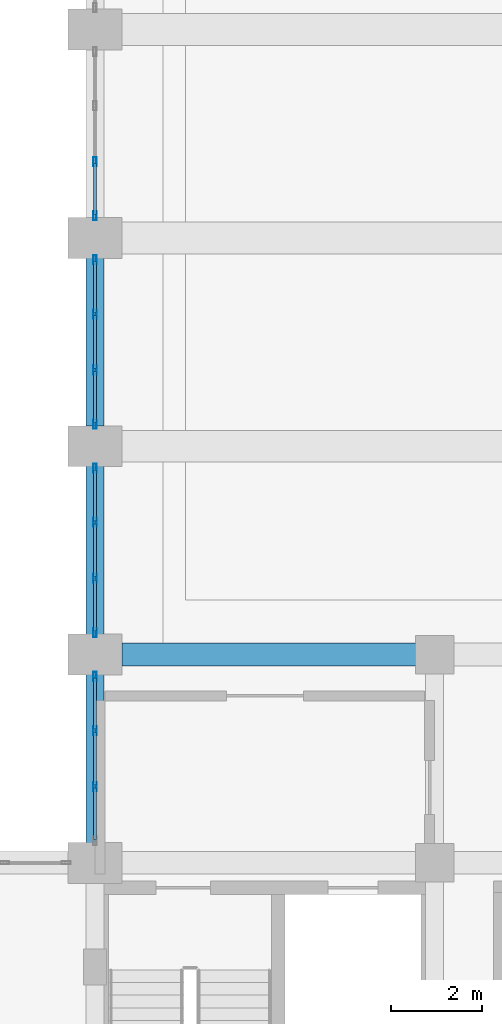
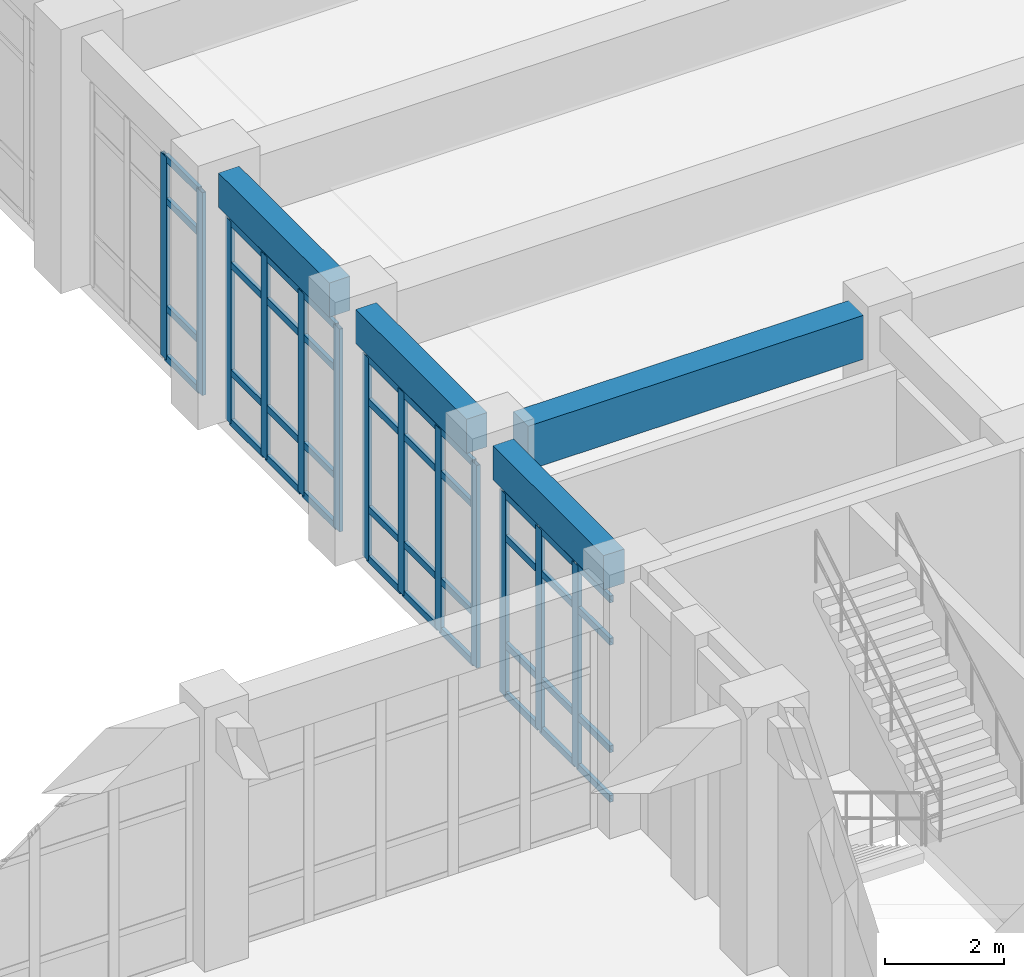
# One storey, part 21 of 84: 53 members, 4 beams, 4 elements without a shape of their own.
"""IFC4 building model written with IfcOpenShell, lengths in metres."""

from ifc_helpers import new_model, si_unit, direction, frame, origin, origin_2d, place, context, subcontext, project, spatial, rectangle, hollow_rectangle, extrude, material, layer, layer_set, material_profile, profile_set, type_object, element, aggregate, save


model = new_model("IFC4")

# Units and contexts
model_context = context("Model", 3, precision=1e-05, world=origin(), true_north=direction((0.0, 1.0)))
body_context = subcontext(model_context, "Body", "Model", "MODEL_VIEW")
ifc_project = project(units=[si_unit("LENGTHUNIT", "METRE"), si_unit("AREAUNIT", "SQUARE_METRE"), si_unit("VOLUMEUNIT", "CUBIC_METRE"), si_unit("PLANEANGLEUNIT", "RADIAN"), si_unit("MASSUNIT", "GRAM", prefix="KILO")], contexts=[model_context])

# Site, building, storey
site_placement = place(None, origin())
site = spatial("IfcSite", under=ifc_project, at=site_placement, CompositionType="ELEMENT")
building_placement = place(site_placement, origin())
building = spatial("IfcBuilding", under=site, at=building_placement, Name="Muzn Square Opera House", CompositionType="ELEMENT")
storey_placement = place(building_placement, origin())
storey = spatial("IfcBuildingStorey", under=building, at=storey_placement, Name="L00", CompositionType="ELEMENT", Elevation=0.0)

# Curtain wall, members
ifc_material_1 = material(Name="Low-E laminated acoustic double glazing", Category="glass")
ifc_layer = layer(ifc_material_1, 0.159912109375, Name="Low-E laminated acoustic double glazing", Category="glass")
ifc_layer_set = layer_set([ifc_layer], Name="Low-E laminated acoustic double glazing")
curtain_wall_type = type_object("IfcCurtainWallType", Name="Glazed Curtain Wall WestVaultCourt 3700x4150", PredefinedType="USERDEFINED", material=ifc_layer_set)
curtain_wall_1_placement = place(storey_placement, origin())
curtain_wall_1 = element("IfcCurtainWall", 1, at=curtain_wall_1_placement, inside=storey, type_object=curtain_wall_type, Name="Glazed Curtain Wall CW-L00-029", ObjectType="GLAZED CURTAIN WALL", PredefinedType="USERDEFINED")
ifc_material_2 = material(Name="Anodised bronze aluminium 6063-T6", Category="metal")
ifc_material_profile_1 = material_profile(ifc_material_2, hollow_rectangle(XDim=0.070068359375, YDim=0.199951171875, WallThickness=0.0048828125, at=origin_2d()), Name="ALU 200x70x5", Category="metal")
ifc_profile_set_1 = profile_set([ifc_material_profile_1], Name="Anodised bronze aluminium 6063-T6")
member_type_1 = type_object("IfcMemberType", Name="Curtain Wall Mullion 200x70", PredefinedType="MULLION", material=ifc_profile_set_1)
member_1_placement = place(storey_placement, frame((43.0, 32.88330078125, 0.0), z_axis=(0.0, 0.0, 1.0), x_axis=(-1.0, 0.0, 0.0)))
member_1 = element("IfcMember", 2, at=member_1_placement, type_object=member_type_1, Name="CW-WVC-37x41 mullion 2", PredefinedType="MULLION", context=body_context, shape_type="SweptSolid", body=[
    extrude(hollow_rectangle(XDim=0.070068359375, YDim=0.199951171875, WallThickness=0.0048828125, at=origin_2d()), origin(), (0.0, 0.0, 1.0), 4.14990234375),
])
member_2_placement = place(storey_placement, frame((43.0, 34.11669921875, 0.0), z_axis=(0.0, 0.0, 1.0), x_axis=(-1.0, 0.0, 0.0)))
member_2 = element("IfcMember", 3, at=member_2_placement, type_object=member_type_1, Name="CW-WVC-37x41 mullion 3", PredefinedType="MULLION", context=body_context, shape_type="SweptSolid", body=[
    extrude(hollow_rectangle(XDim=0.070068359375, YDim=0.199951171875, WallThickness=0.0048828125, at=origin_2d()), origin(), (0.0, 0.0, 1.0), 4.14990234375),
])
member_3_placement = place(storey_placement, frame((43.0, 35.31494140625, 0.0), z_axis=(0.0, 0.0, 1.0), x_axis=(-1.0, 0.0, 0.0)))
member_3 = element("IfcMember", 4, at=member_3_placement, type_object=member_type_1, Name="CW-WVC-37x41 mullion 4", PredefinedType="MULLION", context=body_context, shape_type="SweptSolid", body=[
    extrude(hollow_rectangle(XDim=0.070068359375, YDim=0.199951171875, WallThickness=0.0048828125, at=origin_2d()), origin(), (0.0, 0.0, 1.0), 4.14990234375),
])

curtain_wall_2_placement = place(storey_placement, origin())
curtain_wall_2 = element("IfcCurtainWall", 5, at=curtain_wall_2_placement, inside=storey, type_object=curtain_wall_type, Name="Glazed Curtain Wall CW-L00-031", ObjectType="GLAZED CURTAIN WALL", PredefinedType="USERDEFINED")
member_4_placement = place(storey_placement, frame((43.0, 36.284912109375, 0.0), z_axis=(0.0, 0.0, 1.0), x_axis=(-1.0, 0.0, 0.0)))
member_4 = element("IfcMember", 6, at=member_4_placement, type_object=member_type_1, Name="CW-WVC-37x41 mullion 1", PredefinedType="MULLION", context=body_context, shape_type="SweptSolid", body=[
    extrude(hollow_rectangle(XDim=0.070068359375, YDim=0.199951171875, WallThickness=0.0048828125, at=origin_2d()), origin(), (0.0, 0.0, 1.0), 4.14990234375),
])
member_5_placement = place(storey_placement, frame((43.0, 37.4833984375, 0.0), z_axis=(0.0, 0.0, 1.0), x_axis=(-1.0, 0.0, 0.0)))
member_5 = element("IfcMember", 7, at=member_5_placement, type_object=member_type_1, Name="CW-WVC-37x41 mullion 2", PredefinedType="MULLION", context=body_context, shape_type="SweptSolid", body=[
    extrude(hollow_rectangle(XDim=0.070068359375, YDim=0.199951171875, WallThickness=0.0048828125, at=origin_2d()), origin(), (0.0, 0.0, 1.0), 4.14990234375),
])
member_6_placement = place(storey_placement, frame((43.0, 38.716552734375, 0.0), z_axis=(0.0, 0.0, 1.0), x_axis=(-1.0, 0.0, 0.0)))
member_6 = element("IfcMember", 8, at=member_6_placement, type_object=member_type_1, Name="CW-WVC-37x41 mullion 3", PredefinedType="MULLION", context=body_context, shape_type="SweptSolid", body=[
    extrude(hollow_rectangle(XDim=0.070068359375, YDim=0.199951171875, WallThickness=0.0048828125, at=origin_2d()), origin(), (0.0, 0.0, 1.0), 4.14990234375),
])
member_7_placement = place(storey_placement, frame((43.0, 39.9150390625, 0.0), z_axis=(0.0, 0.0, 1.0), x_axis=(-1.0, 0.0, 0.0)))
member_7 = element("IfcMember", 9, at=member_7_placement, type_object=member_type_1, Name="CW-WVC-37x41 mullion 4", PredefinedType="MULLION", context=body_context, shape_type="SweptSolid", body=[
    extrude(hollow_rectangle(XDim=0.070068359375, YDim=0.199951171875, WallThickness=0.0048828125, at=origin_2d()), origin(), (0.0, 0.0, 1.0), 4.14990234375),
])

curtain_wall_3_placement = place(storey_placement, origin())
curtain_wall_3 = element("IfcCurtainWall", 10, at=curtain_wall_3_placement, inside=storey, type_object=curtain_wall_type, Name="Glazed Curtain Wall CW-L00-033", ObjectType="GLAZED CURTAIN WALL", PredefinedType="USERDEFINED")
member_8_placement = place(storey_placement, frame((43.0, 40.885009765625, 0.0), z_axis=(0.0, 0.0, 1.0), x_axis=(-1.0, 0.0, 0.0)))
member_8 = element("IfcMember", 11, at=member_8_placement, type_object=member_type_1, Name="CW-WVC-37x41 mullion 1", PredefinedType="MULLION", context=body_context, shape_type="SweptSolid", body=[
    extrude(hollow_rectangle(XDim=0.070068359375, YDim=0.199951171875, WallThickness=0.0048828125, at=origin_2d()), origin(), (0.0, 0.0, 1.0), 4.14990234375),
])
member_9_placement = place(storey_placement, frame((43.0, 42.083251953125, 0.0), z_axis=(0.0, 0.0, 1.0), x_axis=(-1.0, 0.0, 0.0)))
member_9 = element("IfcMember", 12, at=member_9_placement, type_object=member_type_1, Name="CW-WVC-37x41 mullion 2", PredefinedType="MULLION", context=body_context, shape_type="SweptSolid", body=[
    extrude(hollow_rectangle(XDim=0.070068359375, YDim=0.199951171875, WallThickness=0.0048828125, at=origin_2d()), origin(), (0.0, 0.0, 1.0), 4.14990234375),
])
member_10_placement = place(storey_placement, frame((43.0, 43.316650390625, 0.0), z_axis=(0.0, 0.0, 1.0), x_axis=(-1.0, 0.0, 0.0)))
member_10 = element("IfcMember", 13, at=member_10_placement, type_object=member_type_1, Name="CW-WVC-37x41 mullion 3", PredefinedType="MULLION", context=body_context, shape_type="SweptSolid", body=[
    extrude(hollow_rectangle(XDim=0.070068359375, YDim=0.199951171875, WallThickness=0.0048828125, at=origin_2d()), origin(), (0.0, 0.0, 1.0), 4.14990234375),
])
member_11_placement = place(storey_placement, frame((43.0, 44.514892578125, 0.0), z_axis=(0.0, 0.0, 1.0), x_axis=(-1.0, 0.0, 0.0)))
member_11 = element("IfcMember", 14, at=member_11_placement, type_object=member_type_1, Name="CW-WVC-37x41 mullion 4", PredefinedType="MULLION", context=body_context, shape_type="SweptSolid", body=[
    extrude(hollow_rectangle(XDim=0.070068359375, YDim=0.199951171875, WallThickness=0.0048828125, at=origin_2d()), origin(), (0.0, 0.0, 1.0), 4.14990234375),
])

curtain_wall_4_placement = place(storey_placement, origin())
curtain_wall_4 = element("IfcCurtainWall", 15, at=curtain_wall_4_placement, inside=storey, type_object=curtain_wall_type, Name="Glazed Curtain Wall CW-L00-035", ObjectType="GLAZED CURTAIN WALL", PredefinedType="USERDEFINED")
member_12_placement = place(storey_placement, frame((43.0, 45.485107421875, 0.0), z_axis=(0.0, 0.0, 1.0), x_axis=(-1.0, 0.0, 0.0)))
member_12 = element("IfcMember", 16, at=member_12_placement, type_object=member_type_1, Name="CW-WVC-37x41 mullion 1", PredefinedType="MULLION", context=body_context, shape_type="SweptSolid", body=[
    extrude(hollow_rectangle(XDim=0.070068359375, YDim=0.199951171875, WallThickness=0.0048828125, at=origin_2d()), origin(), (0.0, 0.0, 1.0), 4.14990234375),
])
member_13_placement = place(storey_placement, frame((43.0, 46.683349609375, 0.0), z_axis=(0.0, 0.0, 1.0), x_axis=(-1.0, 0.0, 0.0)))
member_13 = element("IfcMember", 17, at=member_13_placement, type_object=member_type_1, Name="CW-WVC-37x41 mullion 2", PredefinedType="MULLION", context=body_context, shape_type="SweptSolid", body=[
    extrude(hollow_rectangle(XDim=0.070068359375, YDim=0.199951171875, WallThickness=0.0048828125, at=origin_2d()), origin(), (0.0, 0.0, 1.0), 4.14990234375),
])

# Member
ifc_material_profile_2 = material_profile(ifc_material_2, hollow_rectangle(XDim=0.070068359375, YDim=0.139892578125, WallThickness=0.00390625, at=origin_2d()), Name="ALU 140x70x4", Category="metal")
ifc_profile_set_2 = profile_set([ifc_material_profile_2], Name="Anodised bronze aluminium 6063-T6")
member_type_2 = type_object("IfcMemberType", Name="Curtain Wall Transom 140x70", PredefinedType="USERDEFINED", material=ifc_profile_set_2)
member_14_placement = place(storey_placement, frame((43.0, 31.719970703125, 0.034912109375), z_axis=(0.0, 1.0, 0.0), x_axis=(-1.0, 0.0, 0.0)))
member_14 = element("IfcMember", 18, at=member_14_placement, type_object=member_type_2, Name="CW-WVC-37x41 transom 1.1", ObjectType="TRANSOM", PredefinedType="USERDEFINED", context=body_context, shape_type="SweptSolid", body=[
    extrude(hollow_rectangle(XDim=0.070068359375, YDim=0.139892578125, WallThickness=0.00390625, at=origin_2d()), origin(), (0.0, 0.0, 1.0), 1.12841796875),
])

member_15_placement = place(storey_placement, frame((43.0, 31.719970703125, 1.050048828125), z_axis=(0.0, 1.0, 0.0), x_axis=(-1.0, 0.0, 0.0)))
member_15 = element("IfcMember", 19, at=member_15_placement, type_object=member_type_2, Name="CW-WVC-37x41 transom 1.2", ObjectType="TRANSOM", PredefinedType="USERDEFINED", context=body_context, shape_type="SweptSolid", body=[
    extrude(hollow_rectangle(XDim=0.070068359375, YDim=0.139892578125, WallThickness=0.00390625, at=origin_2d()), origin(), (0.0, 0.0, 1.0), 1.12841796875),
])

member_16_placement = place(storey_placement, frame((43.0, 31.719970703125, 3.25), z_axis=(0.0, 1.0, 0.0), x_axis=(-1.0, 0.0, 0.0)))
member_16 = element("IfcMember", 20, at=member_16_placement, type_object=member_type_2, Name="CW-WVC-37x41 transom 1.3", ObjectType="TRANSOM", PredefinedType="USERDEFINED", context=body_context, shape_type="SweptSolid", body=[
    extrude(hollow_rectangle(XDim=0.070068359375, YDim=0.139892578125, WallThickness=0.00390625, at=origin_2d()), origin(), (0.0, 0.0, 1.0), 1.12841796875),
])

member_17_placement = place(storey_placement, frame((43.0, 31.719970703125, 4.114990234375), z_axis=(0.0, 1.0, 0.0), x_axis=(-1.0, 0.0, 0.0)))
member_17 = element("IfcMember", 21, at=member_17_placement, type_object=member_type_2, Name="CW-WVC-37x41 transom 1.4", ObjectType="TRANSOM", PredefinedType="USERDEFINED", context=body_context, shape_type="SweptSolid", body=[
    extrude(hollow_rectangle(XDim=0.070068359375, YDim=0.139892578125, WallThickness=0.00390625, at=origin_2d()), origin(), (0.0, 0.0, 1.0), 1.12841796875),
])

member_18_placement = place(storey_placement, frame((43.0, 32.918212890625, 0.034912109375), z_axis=(0.0, 1.0, 0.0), x_axis=(-1.0, 0.0, 0.0)))
member_18 = element("IfcMember", 22, at=member_18_placement, type_object=member_type_2, Name="CW-WVC-37x41 transom 2.1", ObjectType="TRANSOM", PredefinedType="USERDEFINED", context=body_context, shape_type="SweptSolid", body=[
    extrude(hollow_rectangle(XDim=0.070068359375, YDim=0.139892578125, WallThickness=0.00390625, at=origin_2d()), origin(), (0.0, 0.0, 1.0), 1.16357421875),
])

member_19_placement = place(storey_placement, frame((43.0, 32.918212890625, 1.050048828125), z_axis=(0.0, 1.0, 0.0), x_axis=(-1.0, 0.0, 0.0)))
member_19 = element("IfcMember", 23, at=member_19_placement, type_object=member_type_2, Name="CW-WVC-37x41 transom 2.2", ObjectType="TRANSOM", PredefinedType="USERDEFINED", context=body_context, shape_type="SweptSolid", body=[
    extrude(hollow_rectangle(XDim=0.070068359375, YDim=0.139892578125, WallThickness=0.00390625, at=origin_2d()), origin(), (0.0, 0.0, 1.0), 1.16357421875),
])

member_20_placement = place(storey_placement, frame((43.0, 32.918212890625, 3.25), z_axis=(0.0, 1.0, 0.0), x_axis=(-1.0, 0.0, 0.0)))
member_20 = element("IfcMember", 24, at=member_20_placement, type_object=member_type_2, Name="CW-WVC-37x41 transom 2.3", ObjectType="TRANSOM", PredefinedType="USERDEFINED", context=body_context, shape_type="SweptSolid", body=[
    extrude(hollow_rectangle(XDim=0.070068359375, YDim=0.139892578125, WallThickness=0.00390625, at=origin_2d()), origin(), (0.0, 0.0, 1.0), 1.16357421875),
])

member_21_placement = place(storey_placement, frame((43.0, 32.918212890625, 4.114990234375), z_axis=(0.0, 1.0, 0.0), x_axis=(-1.0, 0.0, 0.0)))
member_21 = element("IfcMember", 25, at=member_21_placement, type_object=member_type_2, Name="CW-WVC-37x41 transom 2.4", ObjectType="TRANSOM", PredefinedType="USERDEFINED", context=body_context, shape_type="SweptSolid", body=[
    extrude(hollow_rectangle(XDim=0.070068359375, YDim=0.139892578125, WallThickness=0.00390625, at=origin_2d()), origin(), (0.0, 0.0, 1.0), 1.16357421875),
])

member_22_placement = place(storey_placement, frame((43.0, 34.151611328125, 0.034912109375), z_axis=(0.0, 1.0, 0.0), x_axis=(-1.0, 0.0, 0.0)))
member_22 = element("IfcMember", 26, at=member_22_placement, type_object=member_type_2, Name="CW-WVC-37x41 transom 3.1", ObjectType="TRANSOM", PredefinedType="USERDEFINED", context=body_context, shape_type="SweptSolid", body=[
    extrude(hollow_rectangle(XDim=0.070068359375, YDim=0.139892578125, WallThickness=0.00390625, at=origin_2d()), origin(), (0.0, 0.0, 1.0), 1.12841796875),
])

member_23_placement = place(storey_placement, frame((43.0, 34.151611328125, 1.050048828125), z_axis=(0.0, 1.0, 0.0), x_axis=(-1.0, 0.0, 0.0)))
member_23 = element("IfcMember", 27, at=member_23_placement, type_object=member_type_2, Name="CW-WVC-37x41 transom 3.2", ObjectType="TRANSOM", PredefinedType="USERDEFINED", context=body_context, shape_type="SweptSolid", body=[
    extrude(hollow_rectangle(XDim=0.070068359375, YDim=0.139892578125, WallThickness=0.00390625, at=origin_2d()), origin(), (0.0, 0.0, 1.0), 1.12841796875),
])

member_24_placement = place(storey_placement, frame((43.0, 34.151611328125, 3.25), z_axis=(0.0, 1.0, 0.0), x_axis=(-1.0, 0.0, 0.0)))
member_24 = element("IfcMember", 28, at=member_24_placement, type_object=member_type_2, Name="CW-WVC-37x41 transom 3.3", ObjectType="TRANSOM", PredefinedType="USERDEFINED", context=body_context, shape_type="SweptSolid", body=[
    extrude(hollow_rectangle(XDim=0.070068359375, YDim=0.139892578125, WallThickness=0.00390625, at=origin_2d()), origin(), (0.0, 0.0, 1.0), 1.12841796875),
])

member_25_placement = place(storey_placement, frame((43.0, 34.151611328125, 4.114990234375), z_axis=(0.0, 1.0, 0.0), x_axis=(-1.0, 0.0, 0.0)))
member_25 = element("IfcMember", 29, at=member_25_placement, type_object=member_type_2, Name="CW-WVC-37x41 transom 3.4", ObjectType="TRANSOM", PredefinedType="USERDEFINED", context=body_context, shape_type="SweptSolid", body=[
    extrude(hollow_rectangle(XDim=0.070068359375, YDim=0.139892578125, WallThickness=0.00390625, at=origin_2d()), origin(), (0.0, 0.0, 1.0), 1.12841796875),
])

aggregate(curtain_wall_1, [member_1, member_2, member_3, member_14, member_15, member_16, member_17, member_18, member_19, member_20, member_21, member_22, member_23, member_24, member_25])

member_26_placement = place(storey_placement, frame((43.0, 36.320068359375, 0.034912109375), z_axis=(0.0, 1.0, 0.0), x_axis=(-1.0, 0.0, 0.0)))
member_26 = element("IfcMember", 30, at=member_26_placement, type_object=member_type_2, Name="CW-WVC-37x41 transom 1.1", ObjectType="TRANSOM", PredefinedType="USERDEFINED", context=body_context, shape_type="SweptSolid", body=[
    extrude(hollow_rectangle(XDim=0.070068359375, YDim=0.139892578125, WallThickness=0.00390625, at=origin_2d()), origin(), (0.0, 0.0, 1.0), 1.128173828125),
])

member_27_placement = place(storey_placement, frame((43.0, 36.320068359375, 1.050048828125), z_axis=(0.0, 1.0, 0.0), x_axis=(-1.0, 0.0, 0.0)))
member_27 = element("IfcMember", 31, at=member_27_placement, type_object=member_type_2, Name="CW-WVC-37x41 transom 1.2", ObjectType="TRANSOM", PredefinedType="USERDEFINED", context=body_context, shape_type="SweptSolid", body=[
    extrude(hollow_rectangle(XDim=0.070068359375, YDim=0.139892578125, WallThickness=0.00390625, at=origin_2d()), origin(), (0.0, 0.0, 1.0), 1.128173828125),
])

member_28_placement = place(storey_placement, frame((43.0, 36.320068359375, 3.25), z_axis=(0.0, 1.0, 0.0), x_axis=(-1.0, 0.0, 0.0)))
member_28 = element("IfcMember", 32, at=member_28_placement, type_object=member_type_2, Name="CW-WVC-37x41 transom 1.3", ObjectType="TRANSOM", PredefinedType="USERDEFINED", context=body_context, shape_type="SweptSolid", body=[
    extrude(hollow_rectangle(XDim=0.070068359375, YDim=0.139892578125, WallThickness=0.00390625, at=origin_2d()), origin(), (0.0, 0.0, 1.0), 1.128173828125),
])

member_29_placement = place(storey_placement, frame((43.0, 36.320068359375, 4.114990234375), z_axis=(0.0, 1.0, 0.0), x_axis=(-1.0, 0.0, 0.0)))
member_29 = element("IfcMember", 33, at=member_29_placement, type_object=member_type_2, Name="CW-WVC-37x41 transom 1.4", ObjectType="TRANSOM", PredefinedType="USERDEFINED", context=body_context, shape_type="SweptSolid", body=[
    extrude(hollow_rectangle(XDim=0.070068359375, YDim=0.139892578125, WallThickness=0.00390625, at=origin_2d()), origin(), (0.0, 0.0, 1.0), 1.128173828125),
])

member_30_placement = place(storey_placement, frame((43.0, 37.518310546875, 0.034912109375), z_axis=(0.0, 1.0, 0.0), x_axis=(-1.0, 0.0, 0.0)))
member_30 = element("IfcMember", 34, at=member_30_placement, type_object=member_type_2, Name="CW-WVC-37x41 transom 2.1", ObjectType="TRANSOM", PredefinedType="USERDEFINED", context=body_context, shape_type="SweptSolid", body=[
    extrude(hollow_rectangle(XDim=0.070068359375, YDim=0.139892578125, WallThickness=0.00390625, at=origin_2d()), origin(), (0.0, 0.0, 1.0), 1.163330078125),
])

member_31_placement = place(storey_placement, frame((43.0, 37.518310546875, 1.050048828125), z_axis=(0.0, 1.0, 0.0), x_axis=(-1.0, 0.0, 0.0)))
member_31 = element("IfcMember", 35, at=member_31_placement, type_object=member_type_2, Name="CW-WVC-37x41 transom 2.2", ObjectType="TRANSOM", PredefinedType="USERDEFINED", context=body_context, shape_type="SweptSolid", body=[
    extrude(hollow_rectangle(XDim=0.070068359375, YDim=0.139892578125, WallThickness=0.00390625, at=origin_2d()), origin(), (0.0, 0.0, 1.0), 1.163330078125),
])

member_32_placement = place(storey_placement, frame((43.0, 37.518310546875, 3.25), z_axis=(0.0, 1.0, 0.0), x_axis=(-1.0, 0.0, 0.0)))
member_32 = element("IfcMember", 36, at=member_32_placement, type_object=member_type_2, Name="CW-WVC-37x41 transom 2.3", ObjectType="TRANSOM", PredefinedType="USERDEFINED", context=body_context, shape_type="SweptSolid", body=[
    extrude(hollow_rectangle(XDim=0.070068359375, YDim=0.139892578125, WallThickness=0.00390625, at=origin_2d()), origin(), (0.0, 0.0, 1.0), 1.163330078125),
])

member_33_placement = place(storey_placement, frame((43.0, 37.518310546875, 4.114990234375), z_axis=(0.0, 1.0, 0.0), x_axis=(-1.0, 0.0, 0.0)))
member_33 = element("IfcMember", 37, at=member_33_placement, type_object=member_type_2, Name="CW-WVC-37x41 transom 2.4", ObjectType="TRANSOM", PredefinedType="USERDEFINED", context=body_context, shape_type="SweptSolid", body=[
    extrude(hollow_rectangle(XDim=0.070068359375, YDim=0.139892578125, WallThickness=0.00390625, at=origin_2d()), origin(), (0.0, 0.0, 1.0), 1.163330078125),
])

member_34_placement = place(storey_placement, frame((43.0, 38.751708984375, 0.034912109375), z_axis=(0.0, 1.0, 0.0), x_axis=(-1.0, 0.0, 0.0)))
member_34 = element("IfcMember", 38, at=member_34_placement, type_object=member_type_2, Name="CW-WVC-37x41 transom 3.1", ObjectType="TRANSOM", PredefinedType="USERDEFINED", context=body_context, shape_type="SweptSolid", body=[
    extrude(hollow_rectangle(XDim=0.070068359375, YDim=0.139892578125, WallThickness=0.00390625, at=origin_2d()), origin(), (0.0, 0.0, 1.0), 1.128173828125),
])

member_35_placement = place(storey_placement, frame((43.0, 38.751708984375, 1.050048828125), z_axis=(0.0, 1.0, 0.0), x_axis=(-1.0, 0.0, 0.0)))
member_35 = element("IfcMember", 39, at=member_35_placement, type_object=member_type_2, Name="CW-WVC-37x41 transom 3.2", ObjectType="TRANSOM", PredefinedType="USERDEFINED", context=body_context, shape_type="SweptSolid", body=[
    extrude(hollow_rectangle(XDim=0.070068359375, YDim=0.139892578125, WallThickness=0.00390625, at=origin_2d()), origin(), (0.0, 0.0, 1.0), 1.128173828125),
])

member_36_placement = place(storey_placement, frame((43.0, 38.751708984375, 3.25), z_axis=(0.0, 1.0, 0.0), x_axis=(-1.0, 0.0, 0.0)))
member_36 = element("IfcMember", 40, at=member_36_placement, type_object=member_type_2, Name="CW-WVC-37x41 transom 3.3", ObjectType="TRANSOM", PredefinedType="USERDEFINED", context=body_context, shape_type="SweptSolid", body=[
    extrude(hollow_rectangle(XDim=0.070068359375, YDim=0.139892578125, WallThickness=0.00390625, at=origin_2d()), origin(), (0.0, 0.0, 1.0), 1.128173828125),
])

member_37_placement = place(storey_placement, frame((43.0, 38.751708984375, 4.114990234375), z_axis=(0.0, 1.0, 0.0), x_axis=(-1.0, 0.0, 0.0)))
member_37 = element("IfcMember", 41, at=member_37_placement, type_object=member_type_2, Name="CW-WVC-37x41 transom 3.4", ObjectType="TRANSOM", PredefinedType="USERDEFINED", context=body_context, shape_type="SweptSolid", body=[
    extrude(hollow_rectangle(XDim=0.070068359375, YDim=0.139892578125, WallThickness=0.00390625, at=origin_2d()), origin(), (0.0, 0.0, 1.0), 1.128173828125),
])

aggregate(curtain_wall_2, [member_4, member_5, member_6, member_7, member_26, member_27, member_28, member_29, member_30, member_31, member_32, member_33, member_34, member_35, member_36, member_37])

member_38_placement = place(storey_placement, frame((43.0, 40.919921875, 0.034912109375), z_axis=(0.0, 1.0, 0.0), x_axis=(-1.0, 0.0, 0.0)))
member_38 = element("IfcMember", 42, at=member_38_placement, type_object=member_type_2, Name="CW-WVC-37x41 transom 1.1", ObjectType="TRANSOM", PredefinedType="USERDEFINED", context=body_context, shape_type="SweptSolid", body=[
    extrude(hollow_rectangle(XDim=0.070068359375, YDim=0.139892578125, WallThickness=0.00390625, at=origin_2d()), origin(), (0.0, 0.0, 1.0), 1.12841796875),
])

member_39_placement = place(storey_placement, frame((43.0, 40.919921875, 1.050048828125), z_axis=(0.0, 1.0, 0.0), x_axis=(-1.0, 0.0, 0.0)))
member_39 = element("IfcMember", 43, at=member_39_placement, type_object=member_type_2, Name="CW-WVC-37x41 transom 1.2", ObjectType="TRANSOM", PredefinedType="USERDEFINED", context=body_context, shape_type="SweptSolid", body=[
    extrude(hollow_rectangle(XDim=0.070068359375, YDim=0.139892578125, WallThickness=0.00390625, at=origin_2d()), origin(), (0.0, 0.0, 1.0), 1.12841796875),
])

member_40_placement = place(storey_placement, frame((43.0, 40.919921875, 3.25), z_axis=(0.0, 1.0, 0.0), x_axis=(-1.0, 0.0, 0.0)))
member_40 = element("IfcMember", 44, at=member_40_placement, type_object=member_type_2, Name="CW-WVC-37x41 transom 1.3", ObjectType="TRANSOM", PredefinedType="USERDEFINED", context=body_context, shape_type="SweptSolid", body=[
    extrude(hollow_rectangle(XDim=0.070068359375, YDim=0.139892578125, WallThickness=0.00390625, at=origin_2d()), origin(), (0.0, 0.0, 1.0), 1.12841796875),
])

member_41_placement = place(storey_placement, frame((43.0, 40.919921875, 4.114990234375), z_axis=(0.0, 1.0, 0.0), x_axis=(-1.0, 0.0, 0.0)))
member_41 = element("IfcMember", 45, at=member_41_placement, type_object=member_type_2, Name="CW-WVC-37x41 transom 1.4", ObjectType="TRANSOM", PredefinedType="USERDEFINED", context=body_context, shape_type="SweptSolid", body=[
    extrude(hollow_rectangle(XDim=0.070068359375, YDim=0.139892578125, WallThickness=0.00390625, at=origin_2d()), origin(), (0.0, 0.0, 1.0), 1.12841796875),
])

member_42_placement = place(storey_placement, frame((43.0, 42.118408203125, 0.034912109375), z_axis=(0.0, 1.0, 0.0), x_axis=(-1.0, 0.0, 0.0)))
member_42 = element("IfcMember", 46, at=member_42_placement, type_object=member_type_2, Name="CW-WVC-37x41 transom 2.1", ObjectType="TRANSOM", PredefinedType="USERDEFINED", context=body_context, shape_type="SweptSolid", body=[
    extrude(hollow_rectangle(XDim=0.070068359375, YDim=0.139892578125, WallThickness=0.00390625, at=origin_2d()), origin(), (0.0, 0.0, 1.0), 1.163330078125),
])

member_43_placement = place(storey_placement, frame((43.0, 42.118408203125, 1.050048828125), z_axis=(0.0, 1.0, 0.0), x_axis=(-1.0, 0.0, 0.0)))
member_43 = element("IfcMember", 47, at=member_43_placement, type_object=member_type_2, Name="CW-WVC-37x41 transom 2.2", ObjectType="TRANSOM", PredefinedType="USERDEFINED", context=body_context, shape_type="SweptSolid", body=[
    extrude(hollow_rectangle(XDim=0.070068359375, YDim=0.139892578125, WallThickness=0.00390625, at=origin_2d()), origin(), (0.0, 0.0, 1.0), 1.163330078125),
])

member_44_placement = place(storey_placement, frame((43.0, 42.118408203125, 3.25), z_axis=(0.0, 1.0, 0.0), x_axis=(-1.0, 0.0, 0.0)))
member_44 = element("IfcMember", 48, at=member_44_placement, type_object=member_type_2, Name="CW-WVC-37x41 transom 2.3", ObjectType="TRANSOM", PredefinedType="USERDEFINED", context=body_context, shape_type="SweptSolid", body=[
    extrude(hollow_rectangle(XDim=0.070068359375, YDim=0.139892578125, WallThickness=0.00390625, at=origin_2d()), origin(), (0.0, 0.0, 1.0), 1.163330078125),
])

member_45_placement = place(storey_placement, frame((43.0, 42.118408203125, 4.114990234375), z_axis=(0.0, 1.0, 0.0), x_axis=(-1.0, 0.0, 0.0)))
member_45 = element("IfcMember", 49, at=member_45_placement, type_object=member_type_2, Name="CW-WVC-37x41 transom 2.4", ObjectType="TRANSOM", PredefinedType="USERDEFINED", context=body_context, shape_type="SweptSolid", body=[
    extrude(hollow_rectangle(XDim=0.070068359375, YDim=0.139892578125, WallThickness=0.00390625, at=origin_2d()), origin(), (0.0, 0.0, 1.0), 1.163330078125),
])

member_46_placement = place(storey_placement, frame((43.0, 43.3515625, 0.034912109375), z_axis=(0.0, 1.0, 0.0), x_axis=(-1.0, 0.0, 0.0)))
member_46 = element("IfcMember", 50, at=member_46_placement, type_object=member_type_2, Name="CW-WVC-37x41 transom 3.1", ObjectType="TRANSOM", PredefinedType="USERDEFINED", context=body_context, shape_type="SweptSolid", body=[
    extrude(hollow_rectangle(XDim=0.070068359375, YDim=0.139892578125, WallThickness=0.00390625, at=origin_2d()), origin(), (0.0, 0.0, 1.0), 1.12841796875),
])

member_47_placement = place(storey_placement, frame((43.0, 43.3515625, 1.050048828125), z_axis=(0.0, 1.0, 0.0), x_axis=(-1.0, 0.0, 0.0)))
member_47 = element("IfcMember", 51, at=member_47_placement, type_object=member_type_2, Name="CW-WVC-37x41 transom 3.2", ObjectType="TRANSOM", PredefinedType="USERDEFINED", context=body_context, shape_type="SweptSolid", body=[
    extrude(hollow_rectangle(XDim=0.070068359375, YDim=0.139892578125, WallThickness=0.00390625, at=origin_2d()), origin(), (0.0, 0.0, 1.0), 1.12841796875),
])

member_48_placement = place(storey_placement, frame((43.0, 43.3515625, 3.25), z_axis=(0.0, 1.0, 0.0), x_axis=(-1.0, 0.0, 0.0)))
member_48 = element("IfcMember", 52, at=member_48_placement, type_object=member_type_2, Name="CW-WVC-37x41 transom 3.3", ObjectType="TRANSOM", PredefinedType="USERDEFINED", context=body_context, shape_type="SweptSolid", body=[
    extrude(hollow_rectangle(XDim=0.070068359375, YDim=0.139892578125, WallThickness=0.00390625, at=origin_2d()), origin(), (0.0, 0.0, 1.0), 1.12841796875),
])

member_49_placement = place(storey_placement, frame((43.0, 43.3515625, 4.114990234375), z_axis=(0.0, 1.0, 0.0), x_axis=(-1.0, 0.0, 0.0)))
member_49 = element("IfcMember", 53, at=member_49_placement, type_object=member_type_2, Name="CW-WVC-37x41 transom 3.4", ObjectType="TRANSOM", PredefinedType="USERDEFINED", context=body_context, shape_type="SweptSolid", body=[
    extrude(hollow_rectangle(XDim=0.070068359375, YDim=0.139892578125, WallThickness=0.00390625, at=origin_2d()), origin(), (0.0, 0.0, 1.0), 1.12841796875),
])

aggregate(curtain_wall_3, [member_8, member_9, member_10, member_11, member_38, member_39, member_40, member_41, member_42, member_43, member_44, member_45, member_46, member_47, member_48, member_49])

member_50_placement = place(storey_placement, frame((43.0, 45.52001953125, 0.034912109375), z_axis=(0.0, 1.0, 0.0), x_axis=(-1.0, 0.0, 0.0)))
member_50 = element("IfcMember", 54, at=member_50_placement, type_object=member_type_2, Name="CW-WVC-37x41 transom 1.1", ObjectType="TRANSOM", PredefinedType="USERDEFINED", context=body_context, shape_type="SweptSolid", body=[
    extrude(hollow_rectangle(XDim=0.070068359375, YDim=0.139892578125, WallThickness=0.00390625, at=origin_2d()), origin(), (0.0, 0.0, 1.0), 1.12841796875),
])

member_51_placement = place(storey_placement, frame((43.0, 45.52001953125, 1.050048828125), z_axis=(0.0, 1.0, 0.0), x_axis=(-1.0, 0.0, 0.0)))
member_51 = element("IfcMember", 55, at=member_51_placement, type_object=member_type_2, Name="CW-WVC-37x41 transom 1.2", ObjectType="TRANSOM", PredefinedType="USERDEFINED", context=body_context, shape_type="SweptSolid", body=[
    extrude(hollow_rectangle(XDim=0.070068359375, YDim=0.139892578125, WallThickness=0.00390625, at=origin_2d()), origin(), (0.0, 0.0, 1.0), 1.12841796875),
])

member_52_placement = place(storey_placement, frame((43.0, 45.52001953125, 3.25), z_axis=(0.0, 1.0, 0.0), x_axis=(-1.0, 0.0, 0.0)))
member_52 = element("IfcMember", 56, at=member_52_placement, type_object=member_type_2, Name="CW-WVC-37x41 transom 1.3", ObjectType="TRANSOM", PredefinedType="USERDEFINED", context=body_context, shape_type="SweptSolid", body=[
    extrude(hollow_rectangle(XDim=0.070068359375, YDim=0.139892578125, WallThickness=0.00390625, at=origin_2d()), origin(), (0.0, 0.0, 1.0), 1.12841796875),
])

member_53_placement = place(storey_placement, frame((43.0, 45.52001953125, 4.114990234375), z_axis=(0.0, 1.0, 0.0), x_axis=(-1.0, 0.0, 0.0)))
member_53 = element("IfcMember", 57, at=member_53_placement, type_object=member_type_2, Name="CW-WVC-37x41 transom 1.4", ObjectType="TRANSOM", PredefinedType="USERDEFINED", context=body_context, shape_type="SweptSolid", body=[
    extrude(hollow_rectangle(XDim=0.070068359375, YDim=0.139892578125, WallThickness=0.00390625, at=origin_2d()), origin(), (0.0, 0.0, 1.0), 1.12841796875),
])

aggregate(curtain_wall_4, [member_12, member_13, member_50, member_51, member_52, member_53])

# Beams
ifc_material_3 = material(Name="Concrete C40/50", Category="concrete")
ifc_material_profile_3 = material_profile(ifc_material_3, rectangle(XDim=0.39990234375, YDim=0.699951171875, at=origin_2d()), Name="RCB 400x700", Category="concrete")
ifc_profile_set_3 = profile_set([ifc_material_profile_3], Name="Concrete C40/50")
beam_type_1 = type_object("IfcBeamType", Name="Primary Girder 400x700", PredefinedType="BEAM", material=ifc_profile_set_3)
beam_1_placement = place(storey_placement, frame((43.0, 31.64208984375, 4.77001953125), z_axis=(0.0, 1.0, 0.0), x_axis=(-1.0, 0.0, 0.0)))
element("IfcBeam", 58, at=beam_1_placement, inside=storey, type_object=beam_type_1, Name="Primary Girder BM-L00-BM-PG700-430_316_430_354-1025", PredefinedType="BEAM", context=body_context, shape_type="SweptSolid", body=[
    extrude(rectangle(XDim=0.39990234375, YDim=0.699951171875, at=origin_2d()), origin(), (0.0, 0.0, 1.0), 3.7158203125),
])
for number, where, z_axis, x_axis, name in (
    (59, (43.0, 36.241943359375, 4.77001953125), (0.0, 1.0, 0.0), (-1.0, 0.0, 0.0), "Primary Girder BM-L00-BM-PG700-430_362_430_400-1026"),
    (60, (43.0, 40.842041015625, 4.77001953125), (0.0, 1.0, 0.0), (-1.0, 0.0, 0.0), "Primary Girder BM-L00-BM-PG700-430_408_430_446-1027"),
):
    element("IfcBeam", number, at=place(storey_placement, frame(where, z_axis=z_axis, x_axis=x_axis)), inside=storey, type_object=beam_type_1, Name=name, PredefinedType="BEAM", context=body_context, shape_type="SweptSolid", body=[
        extrude(rectangle(XDim=0.39990234375, YDim=0.699951171875, at=origin_2d()), origin(), (0.0, 0.0, 1.0), 3.716064453125),
    ])
ifc_material_profile_4 = material_profile(ifc_material_3, rectangle(XDim=0.5, YDim=0.89990234375, at=origin_2d()), Name="RCB 500x900", Category="concrete")
ifc_profile_set_4 = profile_set([ifc_material_profile_4], Name="Concrete C40/50")
beam_type_2 = type_object("IfcBeamType", Name="Primary Girder 500x900", PredefinedType="BEAM", material=ifc_profile_set_4)
beam_2_placement = place(storey_placement, frame((43.592041015625, 35.800048828125, 4.669921875), z_axis=(1.0, 0.0, 0.0), x_axis=(0.0, 1.0, 0.0)))
element("IfcBeam", 61, at=beam_2_placement, inside=storey, type_object=beam_type_2, Name="Primary Girder BM-L00-BM-PG900-436_358_501_358-810", PredefinedType="BEAM", context=body_context, shape_type="SweptSolid", body=[
    extrude(rectangle(XDim=0.5, YDim=0.89990234375, at=origin_2d()), origin(), (0.0, 0.0, 1.0), 6.490966796875),
])

save(model, "model.ifc")
